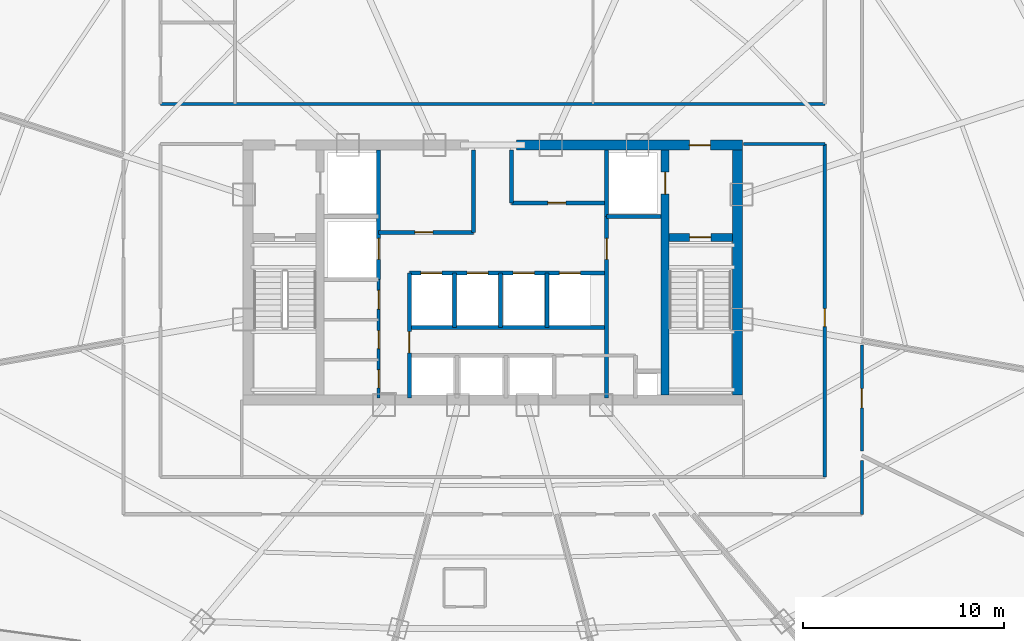
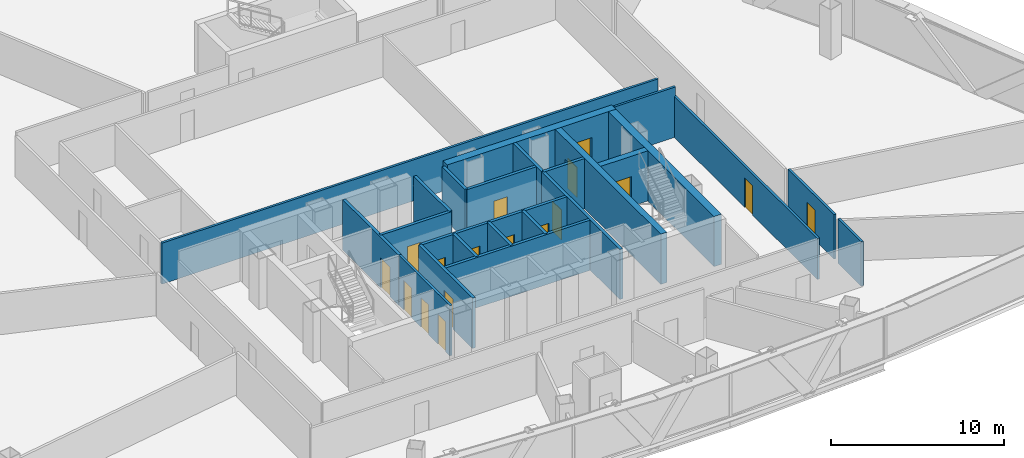
# One storey, part 31 of 37: 24 walls, 17 doors, 17 openings.
"""IFC4 building model written with IfcOpenShell, lengths in metres."""

import ifcopenshell
import ifcopenshell.guid

model = None  # the IFC model being written
_history = None  # IfcOwnerHistory: only IFC2X3 demands one
_inside = {}  # id of a spatial element -> (the spatial element, [elements in it])
_under = {}  # id of a project, library or spatial element -> (it, [spatial elements below it])
_declared = {}  # id of a project -> (the project, [libraries it declares])
_typed = {}  # id of a type object -> (the type object, [elements of that type])
_made_of = {}  # id of a material, layer set ... -> (it, [elements and type objects made of it])


def new_model(schema):
    """Start an empty IFC model of exactly this schema.

    Asked for "IFC4X3", IfcOpenShell would pick the latest addendum, in which some entities
    have other attributes; the version numbers below select the first issue.
    IFC2X3 requires an IfcOwnerHistory on every rooted entity: one is made here for all.
    """
    global model, _history
    if schema == "IFC4X3":
        model = ifcopenshell.file(schema_version=(4, 3, 0, 0))
    else:
        model = ifcopenshell.file(schema=schema)
    _inside.clear()
    _under.clear()
    _declared.clear()
    _typed.clear()
    _made_of.clear()
    _history = None
    if model.schema == "IFC2X3":
        org = make("IfcOrganization", Name="unknown")
        user = make(
            "IfcPersonAndOrganization",
            ThePerson=make("IfcPerson", FamilyName="unknown"),
            TheOrganization=org,
        )
        app = make(
            "IfcApplication",
            ApplicationDeveloper=org,
            Version="unknown",
            ApplicationFullName="unknown",
            ApplicationIdentifier="unknown",
        )
        _history = make(
            "IfcOwnerHistory",
            OwningUser=user,
            OwningApplication=app,
            ChangeAction="ADDED",
            CreationDate=0,
        )
    return model


def make(cls, **values):
    """One entity of the class cls with the attributes given. An attribute that is None is left unset."""
    return model.create_entity(
        cls, **{name: value for name, value in values.items() if value is not None}
    )


def rooted(cls, **values):
    """An entity with a GlobalId (a new one), such as an element, a storey or a relation."""
    return make(cls, GlobalId=ifcopenshell.guid.new(), OwnerHistory=_history, **values)


def si_unit(unit_type, name, prefix=None):
    """IfcSIUnit, for example si_unit("LENGTHUNIT", "METRE", prefix="MILLI")."""
    return make("IfcSIUnit", UnitType=unit_type, Prefix=prefix, Name=name)


def assignment(units):
    """IfcUnitAssignment: the units of a project."""
    return None if units is None else make("IfcUnitAssignment", Units=units)


def point(xyz):
    """IfcCartesianPoint."""
    return None if xyz is None else make("IfcCartesianPoint", Coordinates=xyz)


def direction(xyz):
    """IfcDirection."""
    return None if xyz is None else make("IfcDirection", DirectionRatios=xyz)


def frame(location, z_axis=None, x_axis=None):
    """IfcAxis2Placement3D, a coordinate frame: its origin and axes. An axis left out is left unset."""
    return make(
        "IfcAxis2Placement3D",
        Location=point(location),
        Axis=direction(z_axis),
        RefDirection=direction(x_axis),
    )


def frame_2d(location, x_axis=None):
    """IfcAxis2Placement2D, a coordinate frame in the plane: its origin and x axis."""
    return make(
        "IfcAxis2Placement2D", Location=point(location), RefDirection=direction(x_axis)
    )


def origin():
    """The frame at (0, 0, 0) with its axes left unset."""
    return frame((0.0, 0.0, 0.0))


def origin_with_axes():
    """The frame at (0, 0, 0) with the z axis (0, 0, 1) and the x axis (1, 0, 0) written out."""
    return frame((0.0, 0.0, 0.0), z_axis=(0.0, 0.0, 1.0), x_axis=(1.0, 0.0, 0.0))


def place(relative_to, where):
    """IfcLocalPlacement: puts the frame where relative to a parent placement (None: the world)."""
    return make(
        "IfcLocalPlacement", PlacementRelTo=relative_to, RelativePlacement=where
    )


def context(
    kind, dimensions, precision=None, world=None, true_north=None, identifier=None
):
    """IfcGeometricRepresentationContext, for example the 3D "Model" context."""
    return make(
        "IfcGeometricRepresentationContext",
        ContextIdentifier=identifier,
        ContextType=kind,
        CoordinateSpaceDimension=dimensions,
        Precision=precision,
        WorldCoordinateSystem=world,
        TrueNorth=true_north,
    )


def subcontext(parent, identifier, kind, view, scale=None):
    """IfcGeometricRepresentationSubContext, for example "Body" below "Model"."""
    return make(
        "IfcGeometricRepresentationSubContext",
        ContextIdentifier=identifier,
        ContextType=kind,
        ParentContext=parent,
        TargetScale=scale,
        TargetView=view,
    )


def project(units=None, contexts=None):
    """IfcProject with its units and contexts."""
    return rooted(
        "IfcProject",
        Name="project",
        RepresentationContexts=contexts,
        UnitsInContext=assignment(units),
    )


def spatial(cls, under=None, at=None, **own):
    """A site, building, storey or space (cls), placed at a placement, below another one or the project."""
    s = rooted(cls, ObjectPlacement=at, **own)
    if under is not None:
        _under.setdefault(under.id(), (under, []))[1].append(s)
    return s


def profile(cls, at=None, kind="AREA", **sizes):
    """A parametric profile (cls). Its sizes go by their IFC names, for example OverallWidth=200.0."""
    return make(cls, ProfileType=kind, Position=at, **sizes)


def rectangle(**sizes):
    """IfcRectangleProfileDef."""
    return profile("IfcRectangleProfileDef", **sizes)


def extrude(swept, where, along, depth):
    """IfcExtrudedAreaSolid: the profile swept, set in the frame where, extruded along a direction by depth."""
    return make(
        "IfcExtrudedAreaSolid",
        SweptArea=swept,
        Position=where,
        ExtrudedDirection=direction(along),
        Depth=depth,
    )


def shape(context_of_items, identifier, shape_type, items):
    """IfcShapeRepresentation: the items that make up one representation, for example the "Body"."""
    return make(
        "IfcShapeRepresentation",
        ContextOfItems=context_of_items,
        RepresentationIdentifier=identifier,
        RepresentationType=shape_type,
        Items=items,
    )


def source(mapping_origin, context_of_items, identifier, shape_type, items):
    """IfcRepresentationMap: a shape defined once, which mapped items show again and again."""
    return make(
        "IfcRepresentationMap",
        MappingOrigin=mapping_origin,
        MappedRepresentation=shape(context_of_items, identifier, shape_type, items),
    )


def transform(
    local_origin,
    x_axis=None,
    y_axis=None,
    z_axis=None,
    scale=None,
    scale2=None,
    scale3=None,
    uniform=True,
):
    """IfcCartesianTransformationOperator3D, or its non-uniform kind. x_axis, y_axis, z_axis: its Axis1, 2, 3."""
    if uniform:
        return make(
            "IfcCartesianTransformationOperator3D",
            Axis1=direction(x_axis),
            Axis2=direction(y_axis),
            LocalOrigin=point(local_origin),
            Scale=scale,
            Axis3=direction(z_axis),
        )
    return make(
        "IfcCartesianTransformationOperator3DnonUniform",
        Axis1=direction(x_axis),
        Axis2=direction(y_axis),
        LocalOrigin=point(local_origin),
        Scale=scale,
        Axis3=direction(z_axis),
        Scale2=scale2,
        Scale3=scale3,
    )


def mapped(mapping_source, mapping_target):
    """IfcMappedItem: shows the shape of a source again, moved by a transform."""
    return make(
        "IfcMappedItem", MappingSource=mapping_source, MappingTarget=mapping_target
    )


def material(Name=None, Category=None):
    """IfcMaterial."""
    return make("IfcMaterial", Name=Name, Category=Category)


def layer(
    of_material, thickness, ventilated=None, Name=None, Category=None, Priority=None
):
    """IfcMaterialLayer: one layer of a wall or slab, of a material (None: an air gap)."""
    return make(
        "IfcMaterialLayer",
        Material=of_material,
        LayerThickness=thickness,
        IsVentilated=ventilated,
        Name=Name,
        Category=Category,
        Priority=Priority,
    )


def layer_set(layers, Name=None):
    """IfcMaterialLayerSet."""
    return make("IfcMaterialLayerSet", MaterialLayers=layers, LayerSetName=Name)


def made_of(thing, what):
    """Note that an element or type object is made of a material, layer set ...; save() writes the relation."""
    if what is not None:
        _made_of.setdefault(what.id(), (what, []))[1].append(thing)
    return thing


def type_object(cls, material=None, **own):
    """A type object (cls), such as IfcWallType, which elements share."""
    return made_of(rooted(cls, **own), material)


def element(
    cls,
    number,
    at=None,
    inside=None,
    cuts=None,
    type_object=None,
    material=None,
    context=None,
    identifier="Body",
    shape_type=None,
    held_by="IfcProductDefinitionShape",
    body=None,
    shapes=None,
    **own,
):
    """One element of the class cls, such as IfcWall. Its Tag is "e" and its number.

    at: its placement. inside: the storey or other place that contains it. cuts: it is an
    opening in that element (IfcRelVoidsElement). A single representation is given by context,
    identifier, shape_type and body (its items); several are given by shapes. held_by: the class
    of the entity that holds the representations. save() writes the other relations.
    """
    e = rooted(cls, Tag="e%d" % number, ObjectPlacement=at, **own)
    if body is not None:
        shapes = [shape(context, identifier, shape_type, body)]
    if shapes is not None:
        e.Representation = make(held_by, Representations=shapes)
    if inside is not None:
        _inside.setdefault(inside.id(), (inside, []))[1].append(e)
    if cuts is not None:
        rooted(
            "IfcRelVoidsElement", RelatingBuildingElement=cuts, RelatedOpeningElement=e
        )
    if type_object is not None:
        _typed.setdefault(type_object.id(), (type_object, []))[1].append(e)
    return made_of(e, material)


def fill(opening, filler):
    """IfcRelFillsElement: the door or window that sits in an opening."""
    return rooted(
        "IfcRelFillsElement",
        RelatingOpeningElement=opening,
        RelatedBuildingElement=filler,
    )


def aggregate(whole, parts):
    """IfcRelAggregates: a whole, such as a stair, and the parts it consists of."""
    return rooted("IfcRelAggregates", RelatingObject=whole, RelatedObjects=parts)


def save(model, path):
    """Write the relations noted so far, then the file.

    IfcRelAggregates (storeys below a building ...), IfcRelContainedInSpatialStructure (elements
    in a storey), IfcRelDefinesByType, IfcRelAssociatesMaterial and IfcRelDeclares: one each for
    every whole, place, type object, material and project.
    """
    for whole, parts in _under.values():
        aggregate(whole, parts)
    for where, things in _inside.values():
        rooted(
            "IfcRelContainedInSpatialStructure",
            RelatedElements=things,
            RelatingStructure=where,
        )
    for kind, things in _typed.values():
        rooted("IfcRelDefinesByType", RelatedObjects=things, RelatingType=kind)
    for what, things in _made_of.values():
        rooted("IfcRelAssociatesMaterial", RelatedObjects=things, RelatingMaterial=what)
    for by, libraries in _declared.values():
        rooted("IfcRelDeclares", RelatingContext=by, RelatedDefinitions=libraries)
    model.write(path)


model = new_model("IFC4")

# Units and contexts
model_context = context("Model", 3, precision=1e-05, world=origin(), true_north=direction((0.0, 1.0)))
body_context = subcontext(model_context, "Body", "Model", "MODEL_VIEW")
ifc_project = project(units=[si_unit("LENGTHUNIT", "METRE"), si_unit("AREAUNIT", "SQUARE_METRE"), si_unit("VOLUMEUNIT", "CUBIC_METRE"), si_unit("PLANEANGLEUNIT", "RADIAN"), si_unit("MASSUNIT", "GRAM", prefix="KILO"), si_unit("THERMODYNAMICTEMPERATUREUNIT", "KELVIN"), si_unit("POWERUNIT", "WATT")], contexts=[model_context])

# Site, building, storey
site_placement = place(None, origin())
site = spatial("IfcSite", under=ifc_project, at=site_placement, CompositionType="ELEMENT")
building_placement = place(site_placement, origin())
building = spatial("IfcBuilding", under=site, at=building_placement, Name="Yunzhuo Pagoda Commons", CompositionType="ELEMENT")
storey_placement = place(building_placement, frame((0.0, 0.0, 199.9599609375)))
storey = spatial("IfcBuildingStorey", under=building, at=storey_placement, Name="L50", CompositionType="ELEMENT", Elevation=199.9599609375)

# Wall, opening, door
ifc_material_1 = material(Name="Concrete C50", Category="concrete")
ifc_layer_1 = layer(ifc_material_1, 0.5)
ifc_layer_set_1 = layer_set([ifc_layer_1], Name="Concrete C50")
wall_type_1 = type_object("IfcWallType", Name="W-C03 Upper Core Shear Wall 500", PredefinedType="SHEAR", material=ifc_layer_set_1)
wall_1_placement = place(storey_placement, frame((49.199951171875, 40.199951171875, 0.0), z_axis=(0.0, 0.0, 1.0), x_axis=(1.0, 0.0, 0.0)))
wall_1 = element("IfcWall", 1, at=wall_1_placement, inside=storey, type_object=wall_type_1, Name="L50 core shear wall NE", PredefinedType="SHEAR", context=body_context, shape_type="SweptSolid", body=[
    extrude(rectangle(XDim=11.25, YDim=0.5, at=frame_2d((5.625, 0.0))), origin(), (0.0, 0.0, 1.0), 3.5400390625),
])
opening_1_placement = place(wall_1_placement, frame((8.60009765625, 0.0, 0.0)))
opening_1 = element("IfcOpeningElement", 2, at=opening_1_placement, cuts=wall_1, Name="Opening D-02", PredefinedType="OPENING", context=body_context, shape_type="SweptSolid", body=[
    extrude(rectangle(XDim=1.050048828125, YDim=2.10009765625, at=frame_2d((0.52490234375, 1.050048828125))), frame((0.0, 0.260009765625, 0.0), z_axis=(0.0, -1.0, 0.0), x_axis=(1.0, 0.0, 0.0)), (0.0, 0.0, 1.0), 0.52001953125),
])
ifc_material_2 = material(Name="Galvanized fire-resisting metal leaf")
door_type_1 = type_object("IfcDoorType", Name="D-02 Firefighting Lobby & Refuge Fire Door 1050x2100", OperationType="NOTDEFINED", PredefinedType="DOOR", material=ifc_material_2)
shared_shape_1 = source(origin(), body_context, "Body", "SweptSolid", [
    extrude(rectangle(XDim=1.050048828125, YDim=2.10009765625, at=frame_2d((0.52490234375, 1.050048828125))), frame((0.0, 0.02490234375, 0.0), z_axis=(0.0, -1.0, 0.0), x_axis=(1.0, 0.0, 0.0)), (0.0, 0.0, 1.0), 0.050048828125),
])
door_1_placement = place(opening_1_placement, frame((1.050048828125, 0.0, 0.0), z_axis=(0.0, 0.0, 1.0), x_axis=(-1.0, 0.0, 0.0)))
door_1 = element("IfcDoor", 3, at=door_1_placement, inside=storey, type_object=door_type_1, Name="L50 Firefighting Lobby 2 fire door", OperationType="SINGLE_SWING_RIGHT", OverallHeight=2.10009765625, OverallWidth=1.050048828125, PredefinedType="DOOR", context=body_context, shape_type="MappedRepresentation", body=[
    mapped(shared_shape_1, transform((0.0, 0.0, 0.0), scale=1.0)),
])
fill(opening_1, door_1)

# Wall
wall_2_placement = place(storey_placement, frame((60.199951171875, 27.75, 0.0), z_axis=(0.0, 0.0, 1.0), x_axis=(0.0, 1.0, 0.0)))
element("IfcWall", 4, at=wall_2_placement, inside=storey, type_object=wall_type_1, Name="L50 core shear wall E", PredefinedType="SHEAR", context=body_context, shape_type="SweptSolid", body=[
    extrude(rectangle(XDim=12.199951171875, YDim=0.5, at=frame_2d((6.10009765625, 0.0))), origin(), (0.0, 0.0, 1.0), 3.5400390625),
])

# Wall, openings, doors
ifc_material_3 = material(Name="Gypsum plasterboard on acoustic stud")
ifc_layer_2 = layer(ifc_material_3, 0.155029296875)
ifc_layer_set_2 = layer_set([ifc_layer_2], Name="Gypsum plasterboard on acoustic stud")
wall_type_2 = type_object("IfcWallType", Name="W-COR2 Mid-Zone Rated Corridor Wall 155", PredefinedType="PARTITIONING", material=ifc_layer_set_2)
wall_3_placement = place(storey_placement, frame((42.320068359375, 27.60009765625, 0.0), z_axis=(0.0, 0.0, 1.0), x_axis=(0.0, 1.0, 0.0)))
wall_3 = element("IfcWall", 5, at=wall_3_placement, inside=storey, type_object=wall_type_2, Name="L50 interior wall IW-L50-CSWE", PredefinedType="PARTITIONING", context=body_context, shape_type="SweptSolid", body=[
    extrude(rectangle(XDim=5.89990234375, YDim=0.155029296875, at=frame_2d((2.949951171875, 0.0))), origin(), (0.0, 0.0, 1.0), 3.5400390625),
])
opening_2_placement = place(wall_3_placement, frame((0.5, 0.0, 0.0)))
opening_2 = element("IfcOpeningElement", 6, at=opening_2_placement, cuts=wall_3, Name="Opening D-03", PredefinedType="OPENING", context=body_context, shape_type="SweptSolid", body=[
    extrude(rectangle(XDim=0.89990234375, YDim=2.10009765625, at=frame_2d((0.449951171875, 1.050048828125))), frame((0.0, 0.08740234375, 0.0), z_axis=(0.0, -1.0, 0.0), x_axis=(1.0, 0.0, 0.0)), (0.0, 0.0, 1.0), 0.175048828125),
])
opening_3_placement = place(wall_3_placement, frame((2.449951171875, 0.0, 0.0)))
opening_3 = element("IfcOpeningElement", 7, at=opening_3_placement, cuts=wall_3, Name="Opening D-03", PredefinedType="OPENING", context=body_context, shape_type="SweptSolid", body=[
    extrude(rectangle(XDim=0.89990234375, YDim=2.10009765625, at=frame_2d((0.449951171875, 1.050048828125))), frame((0.0, 0.08740234375, 0.0), z_axis=(0.0, -1.0, 0.0), x_axis=(1.0, 0.0, 0.0)), (0.0, 0.0, 1.0), 0.175048828125),
])
opening_4_placement = place(wall_3_placement, frame((4.419921875, 0.0, 0.0)))
opening_4 = element("IfcOpeningElement", 8, at=opening_4_placement, cuts=wall_3, Name="Opening D-11", PredefinedType="OPENING", context=body_context, shape_type="SweptSolid", body=[
    extrude(rectangle(XDim=0.93994140625, YDim=2.10009765625, at=frame_2d((0.469970703125, 1.050048828125))), frame((0.0, 0.08740234375, 0.0), z_axis=(0.0, -1.0, 0.0), x_axis=(1.0, 0.0, 0.0)), (0.0, 0.0, 1.0), 0.175048828125),
])
door_type_2 = type_object("IfcDoorType", Name="D-03 Core Service Fire Door 900x2100", OperationType="NOTDEFINED", PredefinedType="DOOR", material=ifc_material_2)
shared_shape_2 = source(origin(), body_context, "Body", "SweptSolid", [
    extrude(rectangle(XDim=0.89990234375, YDim=2.10009765625, at=frame_2d((0.449951171875, 1.050048828125))), frame((0.0, 0.02490234375, 0.0), z_axis=(0.0, -1.0, 0.0), x_axis=(1.0, 0.0, 0.0)), (0.0, 0.0, 1.0), 0.050048828125),
])
door_2_placement = place(opening_2_placement, origin_with_axes())
door_2 = element("IfcDoor", 9, at=door_2_placement, inside=storey, type_object=door_type_2, Name="L50 switch door", OperationType="SINGLE_SWING_RIGHT", OverallHeight=2.10009765625, OverallWidth=0.89990234375, PredefinedType="DOOR", context=body_context, shape_type="MappedRepresentation", body=[
    mapped(shared_shape_2, transform((0.0, 0.0, 0.0), scale=1.0)),
])
fill(opening_2, door_2)
door_3_placement = place(opening_3_placement, origin_with_axes())
door_3 = element("IfcDoor", 10, at=door_3_placement, inside=storey, type_object=door_type_2, Name="L50 cleaner door", OperationType="SINGLE_SWING_RIGHT", OverallHeight=2.10009765625, OverallWidth=0.89990234375, PredefinedType="DOOR", context=body_context, shape_type="MappedRepresentation", body=[
    mapped(shared_shape_2, transform((0.0, 0.0, 0.0), scale=1.0)),
])
fill(opening_3, door_3)
door_type_3 = type_object("IfcDoorType", Name="D-11 Accessible Washroom Fire Door 940x2100", OperationType="NOTDEFINED", PredefinedType="DOOR", material=ifc_material_2)
shared_shape_3 = source(origin(), body_context, "Body", "SweptSolid", [
    extrude(rectangle(XDim=0.93994140625, YDim=2.10009765625, at=frame_2d((0.469970703125, 1.050048828125))), frame((0.0, 0.02490234375, 0.0), z_axis=(0.0, -1.0, 0.0), x_axis=(1.0, 0.0, 0.0)), (0.0, 0.0, 1.0), 0.050048828125),
])
door_4_placement = place(opening_4_placement, origin_with_axes())
door_4 = element("IfcDoor", 11, at=door_4_placement, inside=storey, type_object=door_type_3, Name="L50 core WC door", OperationType="SINGLE_SWING_LEFT", OverallHeight=2.10009765625, OverallWidth=0.93994140625, PredefinedType="DOOR", context=body_context, shape_type="MappedRepresentation", body=[
    mapped(shared_shape_3, transform((0.0, 0.0, 0.0), scale=1.0)),
])
fill(opening_4, door_4)

# Wall
wall_4_placement = place(storey_placement, frame((31.449951171875, 42.25, 0.0), z_axis=(0.0, 0.0, 1.0), x_axis=(1.0, 0.0, 0.0)))
element("IfcWall", 12, at=wall_4_placement, inside=storey, type_object=wall_type_2, Name="L50 interior wall IW-L50-MCNS", PredefinedType="PARTITIONING", context=body_context, shape_type="SweptSolid", body=[
    extrude(rectangle(XDim=33.10009765625, YDim=0.155029296875, at=frame_2d((16.550048828125, 0.0))), origin(), (0.0, 0.0, 1.0), 2.89013671875),
])

# Wall, opening, door
wall_5_placement = place(storey_placement, frame((64.550048828125, 23.64990234375, 0.0), z_axis=(0.0, 0.0, 1.0), x_axis=(0.0, 1.0, 0.0)))
wall_5 = element("IfcWall", 13, at=wall_5_placement, inside=storey, type_object=wall_type_2, Name="L50 interior wall IW-L50-SFLE", PredefinedType="PARTITIONING", context=body_context, shape_type="SweptSolid", body=[
    extrude(rectangle(XDim=16.60009765625, YDim=0.155029296875, at=frame_2d((8.300048828125, 0.0))), origin(), (0.0, 0.0, 1.0), 2.89013671875),
])
opening_5_placement = place(wall_5_placement, frame((7.5, 0.0, 0.0)))
opening_5 = element("IfcOpeningElement", 14, at=opening_5_placement, cuts=wall_5, Name="Opening D-12", PredefinedType="OPENING", context=body_context, shape_type="SweptSolid", body=[
    extrude(rectangle(XDim=0.89990234375, YDim=2.080078125, at=frame_2d((0.449951171875, 1.0400390625))), frame((0.0, 0.08740234375, 0.0), z_axis=(0.0, -1.0, 0.0), x_axis=(1.0, 0.0, 0.0)), (0.0, 0.0, 1.0), 0.175048828125),
])
ifc_material_4 = material(Name="Powder-coated aluminium and timber acoustic leaf", Category="wood")
door_type_4 = type_object("IfcDoorType", Name="D-12 Quiet Study Interior Door 900x2080", OperationType="NOTDEFINED", PredefinedType="DOOR", material=ifc_material_4)
shared_shape_4 = source(origin(), body_context, "Body", "SweptSolid", [
    extrude(rectangle(XDim=0.89990234375, YDim=2.080078125, at=frame_2d((0.449951171875, 1.0400390625))), frame((0.0, 0.02490234375, 0.0), z_axis=(0.0, -1.0, 0.0), x_axis=(1.0, 0.0, 0.0)), (0.0, 0.0, 1.0), 0.050048828125),
])
door_5_placement = place(opening_5_placement, frame((0.89990234375, 0.0, 0.0), z_axis=(0.0, 0.0, 1.0), x_axis=(-1.0, 0.0, 0.0)))
door_5 = element("IfcDoor", 15, at=door_5_placement, inside=storey, type_object=door_type_4, Name="L50 east study workroom door", OperationType="SINGLE_SWING_RIGHT", OverallHeight=2.080078125, OverallWidth=0.89990234375, PredefinedType="DOOR", context=body_context, shape_type="MappedRepresentation", body=[
    mapped(shared_shape_4, transform((0.0, 0.0, 0.0), scale=1.0)),
])
fill(opening_5, door_5)

# Wall
wall_6_placement = place(storey_placement, frame((60.5, 40.25, 0.0), z_axis=(0.0, 0.0, 1.0), x_axis=(1.0, 0.0, 0.0)))
element("IfcWall", 16, at=wall_6_placement, inside=storey, type_object=wall_type_2, Name="L50 interior wall IW-L50-SFLNE", PredefinedType="PARTITIONING", context=body_context, shape_type="SweptSolid", body=[
    extrude(rectangle(XDim=4.050048828125, YDim=0.155029296875, at=frame_2d((2.02490234375, 0.0))), origin(), (0.0, 0.0, 1.0), 3.5400390625),
])

# Wall, opening, door
wall_7_placement = place(storey_placement, frame((66.39990234375, 30.232177734375, 0.0), z_axis=(0.0, 0.0, 1.0), x_axis=(0.0, -1.0, 0.0)))
wall_7 = element("IfcWall", 17, at=wall_7_placement, inside=storey, type_object=wall_type_2, Name="L50 interior wall IW-L50-CWL10", PredefinedType="PARTITIONING", context=body_context, shape_type="SweptSolid", body=[
    extrude(rectangle(XDim=5.28662109375, YDim=0.155029296875, at=frame_2d((2.643310546875, 0.0))), origin(), (0.0, 0.0, 1.0), 3.14013671875),
])
opening_6_placement = place(wall_7_placement, frame((2.16650390625, 0.0, 0.0)))
opening_6 = element("IfcOpeningElement", 18, at=opening_6_placement, cuts=wall_7, Name="Opening D-07", PredefinedType="OPENING", context=body_context, shape_type="SweptSolid", body=[
    extrude(rectangle(XDim=0.9599609375, YDim=2.1201171875, at=frame_2d((0.47998046875, 1.06005859375))), frame((0.0, 0.08740234375, 0.0), z_axis=(0.0, -1.0, 0.0), x_axis=(1.0, 0.0, 0.0)), (0.0, 0.0, 1.0), 0.175048828125),
])
door_type_5 = type_object("IfcDoorType", Name="D-07 Mid-Zone Suite Entrance Fire Door 960x2120", OperationType="NOTDEFINED", PredefinedType="DOOR", material=ifc_material_2)
shared_shape_5 = source(origin(), body_context, "Body", "SweptSolid", [
    extrude(rectangle(XDim=0.9599609375, YDim=2.1201171875, at=frame_2d((0.47998046875, 1.06005859375))), frame((0.0, 0.02490234375, 0.0), z_axis=(0.0, -1.0, 0.0), x_axis=(1.0, 0.0, 0.0)), (0.0, 0.0, 1.0), 0.050048828125),
])
door_6_placement = place(opening_6_placement, origin_with_axes())
door_6 = element("IfcDoor", 19, at=door_6_placement, inside=storey, type_object=door_type_5, Name="L50 unit 11 entrance door", OperationType="SINGLE_SWING_RIGHT", OverallHeight=2.1201171875, OverallWidth=0.9599609375, PredefinedType="DOOR", context=body_context, shape_type="MappedRepresentation", body=[
    mapped(shared_shape_5, transform((0.0, 0.0, 0.0), scale=1.0)),
])
fill(opening_6, door_6)

# Wall
wall_8_placement = place(storey_placement, frame((66.39990234375, 24.48095703125, 0.0), z_axis=(0.0, 0.0, 1.0), x_axis=(0.0, -1.0, 0.0)))
element("IfcWall", 20, at=wall_8_placement, inside=storey, type_object=wall_type_2, Name="L50 interior wall IW-L50-CWL11", PredefinedType="PARTITIONING", context=body_context, shape_type="SweptSolid", body=[
    extrude(rectangle(XDim=2.680908203125, YDim=0.155029296875, at=frame_2d((1.34033203125, 0.0))), origin(), (0.0, 0.0, 1.0), 3.14013671875),
])

# Wall, opening, door
ifc_material_5 = material(Name="Concrete C60", Category="concrete")
ifc_layer_3 = layer(ifc_material_5, 0.39990234375)
ifc_layer_set_3 = layer_set([ifc_layer_3], Name="Concrete C60")
wall_type_3 = type_object("IfcWallType", Name="W-S01 Internal Core Shear Web 400", PredefinedType="SHEAR", material=ifc_layer_set_3)
wall_9_placement = place(storey_placement, frame((56.60009765625, 27.75, 0.0), z_axis=(0.0, 0.0, 1.0), x_axis=(0.0, 1.0, 0.0)))
wall_9 = element("IfcWall", 21, at=wall_9_placement, inside=storey, type_object=wall_type_3, Name="L50 core shear wall WEBE", PredefinedType="SHEAR", context=body_context, shape_type="SweptSolid", body=[
    extrude(rectangle(XDim=12.199951171875, YDim=0.39990234375, at=frame_2d((6.10009765625, 0.0))), origin(), (0.0, 0.0, 1.0), 3.5400390625),
])
opening_7_placement = place(wall_9_placement, frame((10.0, 0.0, 0.0)))
opening_7 = element("IfcOpeningElement", 22, at=opening_7_placement, cuts=wall_9, Name="Opening LD-01", PredefinedType="OPENING", context=body_context, shape_type="SweptSolid", body=[
    extrude(rectangle(XDim=1.10009765625, YDim=2.10009765625, at=frame_2d((0.550048828125, 1.050048828125))), frame((0.0, 0.2099609375, 0.0), z_axis=(0.0, -1.0, 0.0), x_axis=(1.0, 0.0, 0.0)), (0.0, 0.0, 1.0), 0.419921875),
])
door_type_6 = type_object("IfcDoorType", Name="LD-01 Firefighting Lift Landing Door 1100x2100", OperationType="DOUBLE_DOOR_SLIDING", PredefinedType="DOOR", material=ifc_material_2)
shared_shape_6 = source(origin(), body_context, "Body", "SweptSolid", [
    extrude(rectangle(XDim=1.10009765625, YDim=2.10009765625, at=frame_2d((0.550048828125, 1.050048828125))), frame((0.0, 0.02490234375, 0.0), z_axis=(0.0, -1.0, 0.0), x_axis=(1.0, 0.0, 0.0)), (0.0, 0.0, 1.0), 0.050048828125),
])
door_7_placement = place(opening_7_placement, origin_with_axes())
door_7 = element("IfcDoor", 23, at=door_7_placement, inside=storey, type_object=door_type_6, Name="L50 Firefighting lift FL-2 landing door", OperationType="DOUBLE_DOOR_SLIDING", OverallHeight=2.10009765625, OverallWidth=1.10009765625, PredefinedType="DOOR", context=body_context, shape_type="MappedRepresentation", body=[
    mapped(shared_shape_6, transform((0.0, 0.0, 0.0), scale=1.0)),
])
fill(opening_7, door_7)

wall_10_placement = place(storey_placement, frame((56.800048828125, 35.60009765625, 0.0), z_axis=(0.0, 0.0, 1.0), x_axis=(1.0, 0.0, 0.0)))
wall_10 = element("IfcWall", 24, at=wall_10_placement, inside=storey, type_object=wall_type_3, Name="L50 core shear wall STE", PredefinedType="SHEAR", context=body_context, shape_type="SweptSolid", body=[
    extrude(rectangle(XDim=3.14990234375, YDim=0.39990234375, at=frame_2d((1.574951171875, 0.0))), origin(), (0.0, 0.0, 1.0), 3.5400390625),
])
opening_8_placement = place(wall_10_placement, frame((1.02001953125, 0.0, 0.0)))
opening_8 = element("IfcOpeningElement", 25, at=opening_8_placement, cuts=wall_10, Name="Opening D-01", PredefinedType="OPENING", context=body_context, shape_type="SweptSolid", body=[
    extrude(rectangle(XDim=1.050048828125, YDim=2.10009765625, at=frame_2d((0.52490234375, 1.050048828125))), frame((0.0, 0.2099609375, 0.0), z_axis=(0.0, -1.0, 0.0), x_axis=(1.0, 0.0, 0.0)), (0.0, 0.0, 1.0), 0.419921875),
])
door_type_7 = type_object("IfcDoorType", Name="D-01 Smokeproof Stair Fire Door 1050x2100", OperationType="NOTDEFINED", PredefinedType="DOOR", material=ifc_material_2)
door_8_placement = place(opening_8_placement, frame((1.050048828125, 0.0, 0.0), z_axis=(0.0, 0.0, 1.0), x_axis=(-1.0, 0.0, 0.0)))
door_8 = element("IfcDoor", 26, at=door_8_placement, inside=storey, type_object=door_type_7, Name="L50 Stair ST2 fire door", OperationType="SINGLE_SWING_RIGHT", OverallHeight=2.10009765625, OverallWidth=1.050048828125, PredefinedType="DOOR", context=body_context, shape_type="MappedRepresentation", body=[
    mapped(shared_shape_1, transform((0.0, 0.0, 0.0), scale=1.0)),
])
fill(opening_8, door_8)

ifc_material_6 = material(Name="Concrete C40", Category="concrete")
ifc_layer_4 = layer(ifc_material_6, 0.199951171875)
ifc_layer_set_4 = layer_set([ifc_layer_4], Name="Concrete C40")
wall_type_4 = type_object("IfcWallType", Name="W-SHF Shaft & Stair Enclosure Wall 200", PredefinedType="SOLIDWALL", material=ifc_layer_set_4)
wall_11_placement = place(storey_placement, frame((42.320068359375, 33.5, 0.0), z_axis=(0.0, 0.0, 1.0), x_axis=(0.0, 1.0, 0.0)))
wall_11 = element("IfcWall", 27, at=wall_11_placement, inside=storey, type_object=wall_type_4, Name="L50 interior wall IW-L50-FL1E", PredefinedType="SOLIDWALL", context=body_context, shape_type="SweptSolid", body=[
    extrude(rectangle(XDim=6.449951171875, YDim=0.199951171875, at=frame_2d((3.22509765625, 0.0))), origin(), (0.0, 0.0, 1.0), 3.5400390625),
])
opening_9_placement = place(wall_11_placement, frame((1.0, 0.0, 0.0)))
opening_9 = element("IfcOpeningElement", 28, at=opening_9_placement, cuts=wall_11, Name="Opening LD-02", PredefinedType="OPENING", context=body_context, shape_type="SweptSolid", body=[
    extrude(rectangle(XDim=1.050048828125, YDim=2.10009765625, at=frame_2d((0.52490234375, 1.050048828125))), frame((0.0, 0.10986328125, 0.0), z_axis=(0.0, -1.0, 0.0), x_axis=(1.0, 0.0, 0.0)), (0.0, 0.0, 1.0), 0.219970703125),
])
door_type_8 = type_object("IfcDoorType", Name="LD-02 Passenger Lift Landing Door 1050x2100", OperationType="DOUBLE_DOOR_SLIDING", PredefinedType="DOOR", material=ifc_material_2)
door_9_placement = place(opening_9_placement, origin_with_axes())
door_9 = element("IfcDoor", 29, at=door_9_placement, inside=storey, type_object=door_type_8, Name="L50 Service lift SL-1 landing door", OperationType="DOUBLE_DOOR_SLIDING", OverallHeight=2.10009765625, OverallWidth=1.050048828125, PredefinedType="DOOR", context=body_context, shape_type="MappedRepresentation", body=[
    mapped(shared_shape_1, transform((0.0, 0.0, 0.0), scale=1.0)),
])
fill(opening_9, door_9)

# Walls
wall_12_placement = place(storey_placement, frame((53.679931640625, 36.64990234375, 0.0), z_axis=(0.0, 0.0, 1.0), x_axis=(0.0, 1.0, 0.0)))
element("IfcWall", 30, at=wall_12_placement, inside=storey, type_object=wall_type_4, Name="L50 interior wall IW-L50-FL2W", PredefinedType="SOLIDWALL", context=body_context, shape_type="SweptSolid", body=[
    extrude(rectangle(XDim=3.300048828125, YDim=0.199951171875, at=frame_2d((1.64990234375, 0.0))), origin(), (0.0, 0.0, 1.0), 3.5400390625),
])
wall_13_placement = place(storey_placement, frame((53.679931640625, 36.64990234375, 0.0), z_axis=(0.0, 0.0, 1.0), x_axis=(1.0, 0.0, 0.0)))
element("IfcWall", 31, at=wall_13_placement, inside=storey, type_object=wall_type_4, Name="L50 interior wall IW-L50-FL2S", PredefinedType="SOLIDWALL", context=body_context, shape_type="SweptSolid", body=[
    extrude(rectangle(XDim=2.719970703125, YDim=0.199951171875, at=frame_2d((1.35986328125, 0.0))), origin(), (0.0, 0.0, 1.0), 3.5400390625),
])

# Wall, opening, door
wall_14_placement = place(storey_placement, frame((42.320068359375, 35.85009765625, 0.0), z_axis=(0.0, 0.0, 1.0), x_axis=(1.0, 0.0, 0.0)))
wall_14 = element("IfcWall", 32, at=wall_14_placement, inside=storey, type_object=wall_type_4, Name="L50 interior wall IW-L50-LBNW", PredefinedType="SOLIDWALL", context=body_context, shape_type="SweptSolid", body=[
    extrude(rectangle(XDim=4.72998046875, YDim=0.199951171875, at=frame_2d((2.364990234375, 0.0))), origin(), (0.0, 0.0, 1.0), 3.5400390625),
])
opening_10_placement = place(wall_14_placement, frame((1.800048828125, 0.0, 0.0)))
opening_10 = element("IfcOpeningElement", 33, at=opening_10_placement, cuts=wall_14, Name="Opening D-03", PredefinedType="OPENING", context=body_context, shape_type="SweptSolid", body=[
    extrude(rectangle(XDim=0.89990234375, YDim=2.10009765625, at=frame_2d((0.449951171875, 1.050048828125))), frame((0.0, 0.10986328125, 0.0), z_axis=(0.0, -1.0, 0.0), x_axis=(1.0, 0.0, 0.0)), (0.0, 0.0, 1.0), 0.219970703125),
])
door_10_placement = place(opening_10_placement, frame((0.89990234375, 0.0, 0.0), z_axis=(0.0, 0.0, 1.0), x_axis=(-1.0, 0.0, 0.0)))
door_10 = element("IfcDoor", 34, at=door_10_placement, inside=storey, type_object=door_type_2, Name="L50 core west store door", OperationType="SINGLE_SWING_LEFT", OverallHeight=2.10009765625, OverallWidth=0.89990234375, PredefinedType="DOOR", context=body_context, shape_type="MappedRepresentation", body=[
    mapped(shared_shape_2, transform((0.0, 0.0, 0.0), scale=1.0)),
])
fill(opening_10, door_10)

wall_15_placement = place(storey_placement, frame((48.949951171875, 37.320068359375, 0.0), z_axis=(0.0, 0.0, 1.0), x_axis=(1.0, 0.0, 0.0)))
wall_15 = element("IfcWall", 35, at=wall_15_placement, inside=storey, type_object=wall_type_4, Name="L50 interior wall IW-L50-LBNE", PredefinedType="SOLIDWALL", context=body_context, shape_type="SweptSolid", body=[
    extrude(rectangle(XDim=4.72998046875, YDim=0.199951171875, at=frame_2d((2.364990234375, 0.0))), origin(), (0.0, 0.0, 1.0), 3.5400390625),
])
opening_11_placement = place(wall_15_placement, frame((1.800048828125, 0.0, 0.0)))
opening_11 = element("IfcOpeningElement", 36, at=opening_11_placement, cuts=wall_15, Name="Opening D-03", PredefinedType="OPENING", context=body_context, shape_type="SweptSolid", body=[
    extrude(rectangle(XDim=0.89990234375, YDim=2.10009765625, at=frame_2d((0.449951171875, 1.050048828125))), frame((0.0, 0.10986328125, 0.0), z_axis=(0.0, -1.0, 0.0), x_axis=(1.0, 0.0, 0.0)), (0.0, 0.0, 1.0), 0.219970703125),
])
door_11_placement = place(opening_11_placement, frame((0.89990234375, 0.0, 0.0), z_axis=(0.0, 0.0, 1.0), x_axis=(-1.0, 0.0, 0.0)))
door_11 = element("IfcDoor", 37, at=door_11_placement, inside=storey, type_object=door_type_2, Name="L50 core east store door", OperationType="SINGLE_SWING_RIGHT", OverallHeight=2.10009765625, OverallWidth=0.89990234375, PredefinedType="DOOR", context=body_context, shape_type="MappedRepresentation", body=[
    mapped(shared_shape_2, transform((0.0, 0.0, 0.0), scale=1.0)),
])
fill(opening_11, door_11)

# Walls
wall_16_placement = place(storey_placement, frame((47.050048828125, 35.85009765625, 0.0), z_axis=(0.0, 0.0, 1.0), x_axis=(0.0, 1.0, 0.0)))
element("IfcWall", 38, at=wall_16_placement, inside=storey, type_object=wall_type_4, Name="L50 interior wall IW-L50-THRW", PredefinedType="SOLIDWALL", context=body_context, shape_type="SweptSolid", body=[
    extrude(rectangle(XDim=4.099853515625, YDim=0.199951171875, at=frame_2d((2.0498046875, 0.0))), origin(), (0.0, 0.0, 1.0), 3.5400390625),
])
wall_17_placement = place(storey_placement, frame((48.949951171875, 37.320068359375, 0.0), z_axis=(0.0, 0.0, 1.0), x_axis=(0.0, 1.0, 0.0)))
element("IfcWall", 39, at=wall_17_placement, inside=storey, type_object=wall_type_4, Name="L50 interior wall IW-L50-THRE", PredefinedType="SOLIDWALL", context=body_context, shape_type="SweptSolid", body=[
    extrude(rectangle(XDim=2.6298828125, YDim=0.199951171875, at=frame_2d((1.31494140625, 0.0))), origin(), (0.0, 0.0, 1.0), 3.5400390625),
])

# Wall, openings, doors
wall_18_placement = place(storey_placement, frame((43.85009765625, 33.820068359375, 0.0), z_axis=(0.0, 0.0, 1.0), x_axis=(1.0, 0.0, 0.0)))
wall_18 = element("IfcWall", 40, at=wall_18_placement, inside=storey, type_object=wall_type_4, Name="L50 interior wall IW-L50-MLBS", PredefinedType="SOLIDWALL", context=body_context, shape_type="SweptSolid", body=[
    extrude(rectangle(XDim=9.829833984375, YDim=0.199951171875, at=frame_2d((4.9150390625, 0.0))), origin(), (0.0, 0.0, 1.0), 3.5400390625),
])
opening_12_placement = place(wall_18_placement, frame((0.574951171875, 0.0, 0.0)))
opening_12 = element("IfcOpeningElement", 41, at=opening_12_placement, cuts=wall_18, Name="Opening LD-02", PredefinedType="OPENING", context=body_context, shape_type="SweptSolid", body=[
    extrude(rectangle(XDim=1.050048828125, YDim=2.10009765625, at=frame_2d((0.52490234375, 1.050048828125))), frame((0.0, 0.10986328125, 0.0), z_axis=(0.0, -1.0, 0.0), x_axis=(1.0, 0.0, 0.0)), (0.0, 0.0, 1.0), 0.219970703125),
])
opening_13_placement = place(wall_18_placement, frame((2.875, 0.0, 0.0)))
opening_13 = element("IfcOpeningElement", 42, at=opening_13_placement, cuts=wall_18, Name="Opening LD-02", PredefinedType="OPENING", context=body_context, shape_type="SweptSolid", body=[
    extrude(rectangle(XDim=1.050048828125, YDim=2.10009765625, at=frame_2d((0.52490234375, 1.050048828125))), frame((0.0, 0.10986328125, 0.0), z_axis=(0.0, -1.0, 0.0), x_axis=(1.0, 0.0, 0.0)), (0.0, 0.0, 1.0), 0.219970703125),
])
opening_14_placement = place(wall_18_placement, frame((5.175048828125, 0.0, 0.0)))
opening_14 = element("IfcOpeningElement", 43, at=opening_14_placement, cuts=wall_18, Name="Opening LD-02", PredefinedType="OPENING", context=body_context, shape_type="SweptSolid", body=[
    extrude(rectangle(XDim=1.050048828125, YDim=2.10009765625, at=frame_2d((0.52490234375, 1.050048828125))), frame((0.0, 0.10986328125, 0.0), z_axis=(0.0, -1.0, 0.0), x_axis=(1.0, 0.0, 0.0)), (0.0, 0.0, 1.0), 0.219970703125),
])
opening_15_placement = place(wall_18_placement, frame((7.47509765625, 0.0, 0.0)))
opening_15 = element("IfcOpeningElement", 44, at=opening_15_placement, cuts=wall_18, Name="Opening LD-02", PredefinedType="OPENING", context=body_context, shape_type="SweptSolid", body=[
    extrude(rectangle(XDim=1.050048828125, YDim=2.10009765625, at=frame_2d((0.52490234375, 1.050048828125))), frame((0.0, 0.10986328125, 0.0), z_axis=(0.0, -1.0, 0.0), x_axis=(1.0, 0.0, 0.0)), (0.0, 0.0, 1.0), 0.219970703125),
])
door_12_placement = place(opening_12_placement, origin_with_axes())
door_12 = element("IfcDoor", 45, at=door_12_placement, inside=storey, type_object=door_type_8, Name="L50 Passenger lift PL-M1 landing door", OperationType="DOUBLE_DOOR_SLIDING", OverallHeight=2.10009765625, OverallWidth=1.050048828125, PredefinedType="DOOR", context=body_context, shape_type="MappedRepresentation", body=[
    mapped(shared_shape_1, transform((0.0, 0.0, 0.0), scale=1.0)),
])
fill(opening_12, door_12)
door_13_placement = place(opening_13_placement, origin_with_axes())
door_13 = element("IfcDoor", 46, at=door_13_placement, inside=storey, type_object=door_type_8, Name="L50 Passenger lift PL-M2 landing door", OperationType="DOUBLE_DOOR_SLIDING", OverallHeight=2.10009765625, OverallWidth=1.050048828125, PredefinedType="DOOR", context=body_context, shape_type="MappedRepresentation", body=[
    mapped(shared_shape_1, transform((0.0, 0.0, 0.0), scale=1.0)),
])
fill(opening_13, door_13)
door_14_placement = place(opening_14_placement, origin_with_axes())
door_14 = element("IfcDoor", 47, at=door_14_placement, inside=storey, type_object=door_type_8, Name="L50 Passenger lift PL-M3 landing door", OperationType="DOUBLE_DOOR_SLIDING", OverallHeight=2.10009765625, OverallWidth=1.050048828125, PredefinedType="DOOR", context=body_context, shape_type="MappedRepresentation", body=[
    mapped(shared_shape_1, transform((0.0, 0.0, 0.0), scale=1.0)),
])
fill(opening_14, door_14)
door_15_placement = place(opening_15_placement, origin_with_axes())
door_15 = element("IfcDoor", 48, at=door_15_placement, inside=storey, type_object=door_type_8, Name="L50 Passenger lift PL-M4 landing door", OperationType="DOUBLE_DOOR_SLIDING", OverallHeight=2.10009765625, OverallWidth=1.050048828125, PredefinedType="DOOR", context=body_context, shape_type="MappedRepresentation", body=[
    mapped(shared_shape_1, transform((0.0, 0.0, 0.0), scale=1.0)),
])
fill(opening_15, door_15)

# Wall, opening, door
wall_19_placement = place(storey_placement, frame((43.85009765625, 27.60009765625, 0.0), z_axis=(0.0, 0.0, 1.0), x_axis=(0.0, 1.0, 0.0)))
wall_19 = element("IfcWall", 49, at=wall_19_placement, inside=storey, type_object=wall_type_4, Name="L50 interior wall IW-L50-PLMW", PredefinedType="SOLIDWALL", context=body_context, shape_type="SweptSolid", body=[
    extrude(rectangle(XDim=6.219970703125, YDim=0.199951171875, at=frame_2d((3.10986328125, 0.0))), origin(), (0.0, 0.0, 1.0), 3.5400390625),
])
opening_16_placement = place(wall_19_placement, frame((2.25, 0.0, 0.0)))
opening_16 = element("IfcOpeningElement", 50, at=opening_16_placement, cuts=wall_19, Name="Opening D-02", PredefinedType="OPENING", context=body_context, shape_type="SweptSolid", body=[
    extrude(rectangle(XDim=1.050048828125, YDim=2.10009765625, at=frame_2d((0.52490234375, 1.050048828125))), frame((0.0, 0.10986328125, 0.0), z_axis=(0.0, -1.0, 0.0), x_axis=(1.0, 0.0, 0.0)), (0.0, 0.0, 1.0), 0.219970703125),
])
door_16_placement = place(opening_16_placement, frame((1.050048828125, 0.0, 0.0), z_axis=(0.0, 0.0, 1.0), x_axis=(-1.0, 0.0, 0.0)))
door_16 = element("IfcDoor", 51, at=door_16_placement, inside=storey, type_object=door_type_1, Name="L50 High-bank hall west door", OperationType="SINGLE_SWING_LEFT", OverallHeight=2.10009765625, OverallWidth=1.050048828125, PredefinedType="DOOR", context=body_context, shape_type="MappedRepresentation", body=[
    mapped(shared_shape_1, transform((0.0, 0.0, 0.0), scale=1.0)),
])
fill(opening_16, door_16)

wall_20_placement = place(storey_placement, frame((53.679931640625, 27.60009765625, 0.0), z_axis=(0.0, 0.0, 1.0), x_axis=(0.0, 1.0, 0.0)))
wall_20 = element("IfcWall", 52, at=wall_20_placement, inside=storey, type_object=wall_type_4, Name="L50 interior wall IW-L50-PLME", PredefinedType="SOLIDWALL", context=body_context, shape_type="SweptSolid", body=[
    extrude(rectangle(XDim=9.0498046875, YDim=0.199951171875, at=frame_2d((4.52490234375, 0.0))), origin(), (0.0, 0.0, 1.0), 3.5400390625),
])
opening_17_placement = place(wall_20_placement, frame((6.89990234375, 0.0, 0.0)))
opening_17 = element("IfcOpeningElement", 53, at=opening_17_placement, cuts=wall_20, Name="Opening D-02", PredefinedType="OPENING", context=body_context, shape_type="SweptSolid", body=[
    extrude(rectangle(XDim=1.050048828125, YDim=2.10009765625, at=frame_2d((0.52490234375, 1.050048828125))), frame((0.0, 0.10986328125, 0.0), z_axis=(0.0, -1.0, 0.0), x_axis=(1.0, 0.0, 0.0)), (0.0, 0.0, 1.0), 0.219970703125),
])
door_17_placement = place(opening_17_placement, origin_with_axes())
door_17 = element("IfcDoor", 54, at=door_17_placement, inside=storey, type_object=door_type_1, Name="L50 High-bank lift hall door", OperationType="SINGLE_SWING_RIGHT", OverallHeight=2.10009765625, OverallWidth=1.050048828125, PredefinedType="DOOR", context=body_context, shape_type="MappedRepresentation", body=[
    mapped(shared_shape_1, transform((0.0, 0.0, 0.0), scale=1.0)),
])
fill(opening_17, door_17)

# Walls
for number, where, z_axis, x_axis, name in (
    (55, (46.10009765625, 31.1201171875, 0.0), (0.0, 0.0, 1.0), (0.0, 1.0, 0.0), "L50 interior wall IW-L50-PLMD1"),
    (56, (48.39990234375, 31.1201171875, 0.0), (0.0, 0.0, 1.0), (0.0, 1.0, 0.0), "L50 interior wall IW-L50-PLMD2"),
    (57, (50.699951171875, 31.1201171875, 0.0), (0.0, 0.0, 1.0), (0.0, 1.0, 0.0), "L50 interior wall IW-L50-PLMD3"),
):
    element("IfcWall", number, at=place(storey_placement, frame(where, z_axis=z_axis, x_axis=x_axis)), inside=storey, type_object=wall_type_4, Name=name, PredefinedType="SOLIDWALL", context=body_context, shape_type="SweptSolid", body=[
        extrude(rectangle(XDim=2.699951171875, YDim=0.199951171875, at=frame_2d((1.35009765625, 0.0))), origin(), (0.0, 0.0, 1.0), 3.5400390625),
    ])
wall_21_placement = place(storey_placement, frame((43.85009765625, 31.1201171875, 0.0), z_axis=(0.0, 0.0, 1.0), x_axis=(1.0, 0.0, 0.0)))
element("IfcWall", 58, at=wall_21_placement, inside=storey, type_object=wall_type_4, Name="L50 interior wall IW-L50-PLMS2", PredefinedType="SOLIDWALL", context=body_context, shape_type="SweptSolid", body=[
    extrude(rectangle(XDim=9.829833984375, YDim=0.199951171875, at=frame_2d((4.9150390625, 0.0))), origin(), (0.0, 0.0, 1.0), 3.5400390625),
])

save(model, "model.ifc")
